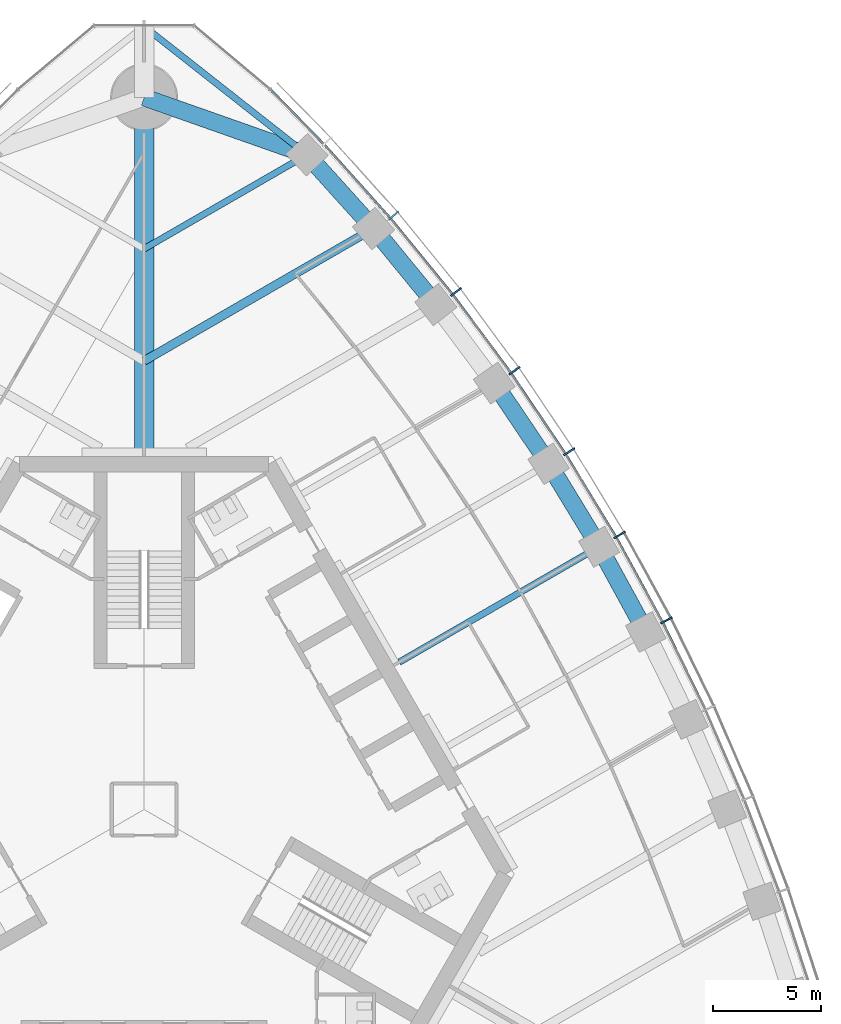
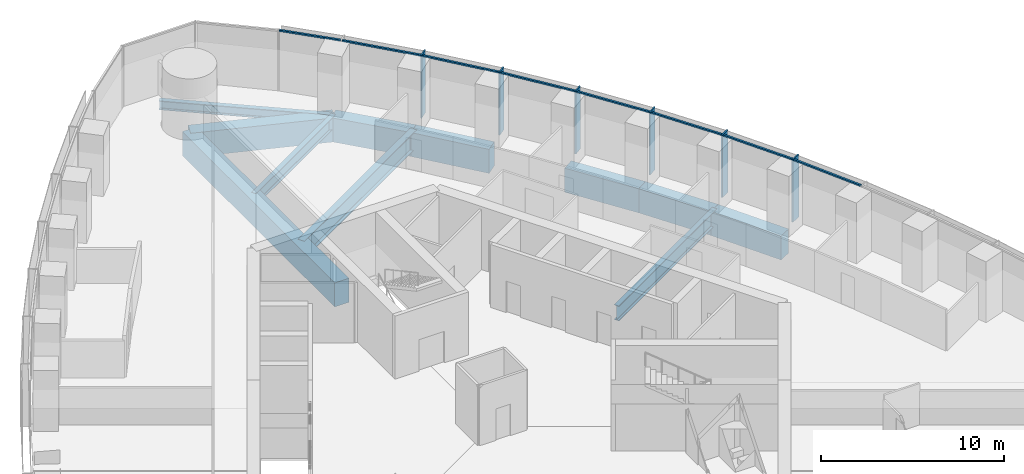
# One storey, part 7 of 19: 14 members, 11 beams, 1 element without a shape of its own.
"""IFC4 building model written with IfcOpenShell, lengths in metres."""

from ifc_helpers import new_model, si_unit, direction, frame, origin, origin_2d, place, context, subcontext, project, spatial, rectangle, i_section, extrude, material, material_profile, profile_set, type_object, element, aggregate, save


model = new_model("IFC4")

# Units and contexts
model_context = context("Model", 3, precision=1e-05, world=origin(), true_north=direction((0.0, 1.0)))
body_context = subcontext(model_context, "Body", "Model", "MODEL_VIEW")
ifc_project = project(units=[si_unit("LENGTHUNIT", "METRE"), si_unit("AREAUNIT", "SQUARE_METRE"), si_unit("VOLUMEUNIT", "CUBIC_METRE"), si_unit("PLANEANGLEUNIT", "RADIAN"), si_unit("MASSUNIT", "GRAM", prefix="KILO")], contexts=[model_context])

# Site, building, storey
site_placement = place(None, origin())
site = spatial("IfcSite", under=ifc_project, at=site_placement, CompositionType="ELEMENT")
building_placement = place(site_placement, origin())
building = spatial("IfcBuilding", under=site, at=building_placement, Name="Trefoil Bronze Tower", CompositionType="ELEMENT")
storey_placement = place(building_placement, frame((0.0, 0.0, 256.89990234375)))
storey = spatial("IfcBuildingStorey", under=building, at=storey_placement, Name="L59", CompositionType="ELEMENT", Elevation=256.89990234375)

# Curtain wall, members
ifc_material_1 = material(Name="Tinted solar-control glass", Category="glass")
curtain_wall_type = type_object("IfcCurtainWallType", Name="Bronze office curtain wall", PredefinedType="USERDEFINED", material=ifc_material_1)
curtain_wall_placement = place(storey_placement, origin())
curtain_wall = element("IfcCurtainWall", 1, at=curtain_wall_placement, inside=storey, type_object=curtain_wall_type, Name="CW-A L59 F2", ObjectType="CURTAIN WALL", PredefinedType="USERDEFINED")
ifc_material_2 = material(Name="Bronze-finish aluminium", Category="aluminium")
ifc_material_profile_1 = material_profile(ifc_material_2, rectangle(XDim=0.60009765625, YDim=0.080078125, at=origin_2d()), Name="CW-A mullion")
ifc_profile_set_1 = profile_set([ifc_material_profile_1], Name="Bronze-finish aluminium")
member_type_1 = type_object("IfcMemberType", Name="Bronze office curtain wall mullion", PredefinedType="MULLION", material=ifc_profile_set_1)
member_1_placement = place(storey_placement, frame((24.2080078125, 8.764404296875, 0.0), z_axis=(0.0, 0.0, 1.0), x_axis=(-0.888088206965, -0.459673075837, 0.0)))
member_1 = element("IfcMember", 2, at=member_1_placement, type_object=member_type_1, Name="CW-A L59 F2 mullion 6", PredefinedType="MULLION", context=body_context, shape_type="SweptSolid", body=[
    extrude(rectangle(XDim=0.60009765625, YDim=0.080078125, at=origin_2d()), origin(), (0.0, 0.0, 1.0), 4.18017578125),
])
member_2_placement = place(storey_placement, frame((22.041015625, 12.725341796875, 0.0), z_axis=(0.0, 0.0, 1.0), x_axis=(-0.866025403784, -0.5, 0.0)))
member_2 = element("IfcMember", 3, at=member_2_placement, type_object=member_type_1, Name="CW-A L59 F2 mullion 7", PredefinedType="MULLION", context=body_context, shape_type="SweptSolid", body=[
    extrude(rectangle(XDim=0.60009765625, YDim=0.080078125, at=origin_2d()), origin(), (0.0, 0.0, 1.0), 4.18017578125),
])
member_3_placement = place(storey_placement, frame((19.694091796875, 16.58251953125, 0.0), z_axis=(0.0, 0.0, 1.0), x_axis=(-0.842132664593, -0.539270410114, 0.0)))
member_3 = element("IfcMember", 4, at=member_3_placement, type_object=member_type_1, Name="CW-A L59 F2 mullion 8", PredefinedType="MULLION", context=body_context, shape_type="SweptSolid", body=[
    extrude(rectangle(XDim=0.60009765625, YDim=0.080078125, at=origin_2d()), origin(), (0.0, 0.0, 1.0), 4.18017578125),
])
member_4_placement = place(storey_placement, frame((17.167236328125, 20.335693359375, 0.0), z_axis=(0.0, 0.0, 1.0), x_axis=(-0.81640398396, -0.577481198806, 0.0)))
member_4 = element("IfcMember", 5, at=member_4_placement, type_object=member_type_1, Name="CW-A L59 F2 mullion 9", PredefinedType="MULLION", context=body_context, shape_type="SweptSolid", body=[
    extrude(rectangle(XDim=0.60009765625, YDim=0.080078125, at=origin_2d()), origin(), (0.0, 0.0, 1.0), 4.18017578125),
])
member_5_placement = place(storey_placement, frame((14.45849609375, 23.98388671875, 0.0), z_axis=(0.0, 0.0, 1.0), x_axis=(-0.788821461078, -0.614622406476, 0.0)))
member_5 = element("IfcMember", 6, at=member_5_placement, type_object=member_type_1, Name="CW-A L59 F2 mullion 10", PredefinedType="MULLION", context=body_context, shape_type="SweptSolid", body=[
    extrude(rectangle(XDim=0.60009765625, YDim=0.080078125, at=origin_2d()), origin(), (0.0, 0.0, 1.0), 4.18017578125),
])
member_6_placement = place(storey_placement, frame((11.564697265625, 27.525146484375, 0.0), z_axis=(0.0, 0.0, 1.0), x_axis=(-0.75935470958, -0.650676897576, 0.0)))
member_6 = element("IfcMember", 7, at=member_6_placement, type_object=member_type_1, Name="CW-A L59 F2 mullion 11", PredefinedType="MULLION", context=body_context, shape_type="SweptSolid", body=[
    extrude(rectangle(XDim=0.60009765625, YDim=0.080078125, at=origin_2d()), origin(), (0.0, 0.0, 1.0), 4.18017578125),
])
ifc_material_3 = material(Name="Bronze-finish aluminium", Category="aluminium")
ifc_material_profile_2 = material_profile(ifc_material_3, rectangle(XDim=0.1201171875, YDim=0.10009765625, at=origin_2d()), Name="CW-A transom")
ifc_profile_set_2 = profile_set([ifc_material_profile_2], Name="Bronze-finish aluminium")
member_type_2 = type_object("IfcMemberType", Name="Bronze office curtain wall transom", PredefinedType="USERDEFINED", material=ifc_profile_set_2)
member_7_placement = place(storey_placement, frame((25.99462890625, 4.65380859375, 4.130126953125), z_axis=(-0.439150835991, 0.898413347657, 0.0), x_axis=(-0.898413347657, -0.439150835991, 0.0)))
member_7 = element("IfcMember", 8, at=member_7_placement, type_object=member_type_2, Name="CW-A L59 F2 transom 5", ObjectType="TRANSOM", PredefinedType="USERDEFINED", context=body_context, shape_type="SweptSolid", body=[
    extrude(rectangle(XDim=0.1201171875, YDim=0.10009765625, at=origin_2d()), origin(), (0.0, 0.0, 1.0), 4.430908203125),
])
member_8_placement = place(storey_placement, frame((24.010009765625, 8.70947265625, 4.130126953125), z_axis=(-0.479973729071, 0.877282861683, 0.0), x_axis=(-0.877282861683, -0.479973729071, 0.0)))
member_8 = element("IfcMember", 9, at=member_8_placement, type_object=member_type_2, Name="CW-A L59 F2 transom 6", ObjectType="TRANSOM", PredefinedType="USERDEFINED", context=body_context, shape_type="SweptSolid", body=[
    extrude(rectangle(XDim=0.1201171875, YDim=0.10009765625, at=origin_2d()), origin(), (0.0, 0.0, 1.0), 4.421142578125),
])
member_9_placement = place(storey_placement, frame((21.845703125, 12.661376953125, 4.130126953125), z_axis=(-0.519740214649, 0.854324358354, 0.0), x_axis=(-0.854324358354, -0.519740214649, 0.0)))
member_9 = element("IfcMember", 10, at=member_9_placement, type_object=member_type_2, Name="CW-A L59 F2 transom 7", ObjectType="TRANSOM", PredefinedType="USERDEFINED", context=body_context, shape_type="SweptSolid", body=[
    extrude(rectangle(XDim=0.1201171875, YDim=0.10009765625, at=origin_2d()), origin(), (0.0, 0.0, 1.0), 4.421142578125),
])
member_10_placement = place(storey_placement, frame((19.502197265625, 16.509765625, 4.130126953125), z_axis=(-0.558509087547, 0.829498402125, 0.0), x_axis=(-0.829498402125, -0.558509087547, 0.0)))
member_10 = element("IfcMember", 11, at=member_10_placement, type_object=member_type_2, Name="CW-A L59 F2 transom 8", ObjectType="TRANSOM", PredefinedType="USERDEFINED", context=body_context, shape_type="SweptSolid", body=[
    extrude(rectangle(XDim=0.1201171875, YDim=0.10009765625, at=origin_2d()), origin(), (0.0, 0.0, 1.0), 4.4306640625),
])
member_11_placement = place(storey_placement, frame((16.978759765625, 20.254150390625, 4.130126953125), z_axis=(-0.59614822717, 0.802874393191, 0.0), x_axis=(-0.802874393191, -0.59614822717, 0.0)))
member_11 = element("IfcMember", 12, at=member_11_placement, type_object=member_type_2, Name="CW-A L59 F2 transom 9", ObjectType="TRANSOM", PredefinedType="USERDEFINED", context=body_context, shape_type="SweptSolid", body=[
    extrude(rectangle(XDim=0.1201171875, YDim=0.10009765625, at=origin_2d()), origin(), (0.0, 0.0, 1.0), 4.449951171875),
])
member_12_placement = place(storey_placement, frame((14.27392578125, 23.8935546875, 4.130126953125), z_axis=(-0.632756871921, 0.774350528531, 0.0), x_axis=(-0.774350528531, -0.632756871921, 0.0)))
member_12 = element("IfcMember", 13, at=member_12_placement, type_object=member_type_2, Name="CW-A L59 F2 transom 10", ObjectType="TRANSOM", PredefinedType="USERDEFINED", context=body_context, shape_type="SweptSolid", body=[
    extrude(rectangle(XDim=0.1201171875, YDim=0.10009765625, at=origin_2d()), origin(), (0.0, 0.0, 1.0), 4.4794921875),
])
member_13_placement = place(storey_placement, frame((11.384521484375, 27.426513671875, 4.130126953125), z_axis=(-0.66825109551, 0.743935799213, 0.0), x_axis=(-0.743935799213, -0.66825109551, 0.0)))
member_13 = element("IfcMember", 14, at=member_13_placement, type_object=member_type_2, Name="CW-A L59 F2 transom 11", ObjectType="TRANSOM", PredefinedType="USERDEFINED", context=body_context, shape_type="SweptSolid", body=[
    extrude(rectangle(XDim=0.1201171875, YDim=0.10009765625, at=origin_2d()), origin(), (0.0, 0.0, 1.0), 4.519287109375),
])
member_14_placement = place(storey_placement, frame((8.306884765625, 30.85009765625, 4.130126953125), z_axis=(-0.698646935368, 0.715466602785, 0.0), x_axis=(-0.715466602785, -0.698646935368, 0.0)))
member_14 = element("IfcMember", 15, at=member_14_placement, type_object=member_type_2, Name="CW-A L59 F2 transom 12", ObjectType="TRANSOM", PredefinedType="USERDEFINED", context=body_context, shape_type="SweptSolid", body=[
    extrude(rectangle(XDim=0.1201171875, YDim=0.10009765625, at=origin_2d()), origin(), (0.0, 0.0, 1.0), 3.483642578125),
])
aggregate(curtain_wall, [member_1, member_2, member_3, member_4, member_5, member_6, member_7, member_8, member_9, member_10, member_11, member_12, member_13, member_14])

# Beams
ifc_material_4 = material(Name="Steel C355", Category="steel")
ifc_material_profile_3 = material_profile(ifc_material_4, i_section(OverallWidth=0.300048828125, OverallDepth=0.60009765625, WebThickness=0.015380859375, FlangeThickness=0.030029296875, FilletRadius=0.027099609375, at=origin_2d()), Name="HEB 600")
ifc_profile_set_3 = profile_set([ifc_material_profile_3], Name="Steel C355")
beam_type_1 = type_object("IfcBeamType", Name="Corner edge beam HEB 600", PredefinedType="BEAM", material=ifc_profile_set_3)
beam_1_placement = place(storey_placement, frame((7.552001953125, 30.3408203125, -0.5), z_axis=(-0.785805912008, 0.618473175371, 0.0), x_axis=(-0.618473175371, -0.785805912008, 0.0)))
element("IfcBeam", 16, at=beam_1_placement, inside=storey, type_object=beam_type_1, Name="Corner edge beam F2A L59", PredefinedType="BEAM", context=body_context, shape_type="SweptSolid", body=[
    extrude(i_section(OverallWidth=0.300048828125, OverallDepth=0.60009765625, WebThickness=0.015380859375, FlangeThickness=0.030029296875, FilletRadius=0.027099609375, at=origin_2d()), origin(), (0.0, 0.0, 1.0), 9.610595703125),
])
ifc_material_5 = material(Name="Concrete B80", Category="concrete")
ifc_material_profile_4 = material_profile(ifc_material_5, rectangle(XDim=0.89990234375, YDim=1.60009765625, at=origin_2d()), Name="RC 900x1600")
ifc_profile_set_4 = profile_set([ifc_material_profile_4], Name="Concrete B80")
beam_type_2 = type_object("IfcBeamType", Name="Corner girder RC 900x1600", PredefinedType="BEAM", material=ifc_profile_set_4)
beam_2_placement = place(storey_placement, frame((0.0, 16.35009765625, -1.0), z_axis=(0.0, 1.0, 0.0), x_axis=(-1.0, 0.0, 0.0)))
element("IfcBeam", 17, at=beam_2_placement, inside=storey, type_object=beam_type_2, Name="Corner girder K2 L59", PredefinedType="BEAM", context=body_context, shape_type="SweptSolid", body=[
    extrude(rectangle(XDim=0.89990234375, YDim=1.60009765625, at=origin_2d()), origin(), (0.0, 0.0, 1.0), 16.64990234375),
])
ifc_material_6 = material(Name="Concrete B80", Category="concrete")
ifc_material_profile_5 = material_profile(ifc_material_6, rectangle(XDim=0.800048828125, YDim=1.60009765625, at=origin_2d()), Name="RC 800x1600")
ifc_profile_set_5 = profile_set([ifc_material_profile_5], Name="Concrete B80")
beam_type_3 = type_object("IfcBeamType", Name="End spandrel beam RC 800x1600", PredefinedType="SPANDREL", material=ifc_profile_set_5)
beam_3_placement = place(storey_placement, frame((7.552001953125, 30.3408203125, -1.0), z_axis=(-0.943234397359, 0.332127794137, 0.0), x_axis=(-0.332127794137, -0.943234397359, 0.0)))
element("IfcBeam", 18, at=beam_3_placement, inside=storey, type_object=beam_type_3, Name="Spandrel F2.12 L59", PredefinedType="SPANDREL", context=body_context, shape_type="SweptSolid", body=[
    extrude(rectangle(XDim=0.800048828125, YDim=1.60009765625, at=origin_2d()), origin(), (0.0, 0.0, 1.0), 8.006591796875),
])
ifc_material_7 = material(Name="Steel C355", Category="steel")
ifc_material_profile_6 = material_profile(ifc_material_7, i_section(OverallWidth=0.300048828125, OverallDepth=0.800048828125, WebThickness=0.017578125, FlangeThickness=0.032958984375, FilletRadius=0.030029296875, at=origin_2d()), Name="HEB 800")
ifc_profile_set_6 = profile_set([ifc_material_profile_6], Name="Steel C355")
beam_type_4 = type_object("IfcBeamType", Name="Floor beam HEB 800", PredefinedType="BEAM", material=ifc_profile_set_6)
beam_4_placement = place(storey_placement, frame((7.552001953125, 30.3408203125, -0.599853515625), z_axis=(-0.866027535932, -0.499996306993, 0.0), x_axis=(0.499996306993, -0.866027535932, 0.0)))
element("IfcBeam", 19, at=beam_4_placement, inside=storey, type_object=beam_type_4, Name="Floor beam F2/+5 L59", PredefinedType="BEAM", context=body_context, shape_type="SweptSolid", body=[
    extrude(i_section(OverallWidth=0.300048828125, OverallDepth=0.800048828125, WebThickness=0.017578125, FlangeThickness=0.032958984375, FilletRadius=0.030029296875, at=origin_2d()), origin(), (0.0, 0.0, 1.0), 8.72021484375),
])
ifc_material_8 = material(Name="Steel C355", Category="steel")
ifc_material_profile_7 = material_profile(ifc_material_8, i_section(OverallWidth=0.302001953125, OverallDepth=1.008056640625, WebThickness=0.02099609375, FlangeThickness=0.0400390625, FilletRadius=0.030029296875, at=origin_2d()), Name="HEM 1000")
ifc_profile_set_7 = profile_set([ifc_material_profile_7], Name="Steel C355")
beam_type_5 = type_object("IfcBeamType", Name="Floor beam HEM 1000", PredefinedType="BEAM", material=ifc_profile_set_7)
beam_5_placement = place(storey_placement, frame((21.08837890625, 12.17529296875, -0.703857421875), z_axis=(-0.86602601154, -0.499998947334, 0.0), x_axis=(0.499998947334, -0.86602601154, 0.0)))
element("IfcBeam", 20, at=beam_5_placement, inside=storey, type_object=beam_type_5, Name="Floor beam F2/+0 L59", PredefinedType="BEAM", context=body_context, shape_type="SweptSolid", body=[
    extrude(i_section(OverallWidth=0.302001953125, OverallDepth=1.008056640625, WebThickness=0.02099609375, FlangeThickness=0.0400390625, FilletRadius=0.030029296875, at=origin_2d()), origin(), (0.0, 0.0, 1.0), 10.70068359375),
])
ifc_material_9 = material(Name="Steel C355", Category="steel")
ifc_material_profile_8 = material_profile(ifc_material_9, i_section(OverallWidth=0.39990234375, OverallDepth=1.199951171875, WebThickness=0.02001953125, FlangeThickness=0.0400390625, FilletRadius=0.010009765625, at=origin_2d()), Name="WPG 1200")
ifc_profile_set_8 = profile_set([ifc_material_profile_8], Name="Steel C355")
beam_type_6 = type_object("IfcBeamType", Name="Floor beam WPG 1200", PredefinedType="BEAM", material=ifc_profile_set_8)
beam_6_placement = place(storey_placement, frame((10.632080078125, 26.923095703125, -0.7998046875), z_axis=(-0.866025635187, -0.499999599199, 0.0), x_axis=(0.499999599199, -0.866025635187, 0.0)))
element("IfcBeam", 21, at=beam_6_placement, inside=storey, type_object=beam_type_6, Name="Floor beam F2/+4 L59", PredefinedType="BEAM", context=body_context, shape_type="SweptSolid", body=[
    extrude(i_section(OverallWidth=0.39990234375, OverallDepth=1.199951171875, WebThickness=0.02001953125, FlangeThickness=0.0400390625, FilletRadius=0.010009765625, at=origin_2d()), origin(), (0.0, 0.0, 1.0), 12.27685546875),
])
ifc_material_10 = material(Name="Concrete B80", Category="concrete")
ifc_material_profile_9 = material_profile(ifc_material_10, rectangle(XDim=0.800048828125, YDim=1.60009765625, at=origin_2d()), Name="RC 800x1600")
ifc_profile_set_9 = profile_set([ifc_material_profile_9], Name="Concrete B80")
beam_type_7 = type_object("IfcBeamType", Name="Spandrel beam RC 800x1600", PredefinedType="SPANDREL", material=ifc_profile_set_9)
for number, where, z_axis, x_axis, name in (
    (22, (23.248046875, 8.22607421875, -1.0), (-0.479801903802, 0.87737684783, 0.0), (-0.87737684783, -0.479801903802, 0.0), "Spandrel F2.6 L59"),
    (23, (21.08837890625, 12.17529296875, -1.0), (-0.519933181394, 0.854206934464, 0.0), (-0.854206934464, -0.519933181394, 0.0), "Spandrel F2.7 L59"),
):
    element("IfcBeam", number, at=place(storey_placement, frame(where, z_axis=z_axis, x_axis=x_axis)), inside=storey, type_object=beam_type_7, Name=name, PredefinedType="SPANDREL", context=body_context, shape_type="SweptSolid", body=[
        extrude(rectangle(XDim=0.800048828125, YDim=1.60009765625, at=origin_2d()), origin(), (0.0, 0.0, 1.0), 4.501220703125),
    ])
beam_7_placement = place(storey_placement, frame((18.748046875, 16.020263671875, -1.0), z_axis=(-0.558964302753, 0.829191719838, 0.0), x_axis=(-0.829191719838, -0.558964302753, 0.0)))
element("IfcBeam", 24, at=beam_7_placement, inside=storey, type_object=beam_type_7, Name="Spandrel F2.8 L59", PredefinedType="SPANDREL", context=body_context, shape_type="SweptSolid", body=[
    extrude(rectangle(XDim=0.800048828125, YDim=1.60009765625, at=origin_2d()), origin(), (0.0, 0.0, 1.0), 4.510986328125),
])
beam_8_placement = place(storey_placement, frame((13.522216796875, 23.3955078125, -1.0), z_axis=(-0.633753657863, 0.773534938542, 0.0), x_axis=(-0.773534938542, -0.633753657863, 0.0)))
element("IfcBeam", 25, at=beam_8_placement, inside=storey, type_object=beam_type_7, Name="Spandrel F2.10 L59", PredefinedType="SPANDREL", context=body_context, shape_type="SweptSolid", body=[
    extrude(rectangle(XDim=0.800048828125, YDim=1.60009765625, at=origin_2d()), origin(), (0.0, 0.0, 1.0), 4.560302734375),
])
beam_9_placement = place(storey_placement, frame((10.632080078125, 26.923095703125, -1.0), z_axis=(-0.669460045872, 0.742848064534, 0.0), x_axis=(-0.742848064534, -0.669460045872, 0.0)))
element("IfcBeam", 26, at=beam_9_placement, inside=storey, type_object=beam_type_7, Name="Spandrel F2.11 L59", PredefinedType="SPANDREL", context=body_context, shape_type="SweptSolid", body=[
    extrude(rectangle(XDim=0.800048828125, YDim=1.60009765625, at=origin_2d()), origin(), (0.0, 0.0, 1.0), 4.600830078125),
])

save(model, "model.ifc")
